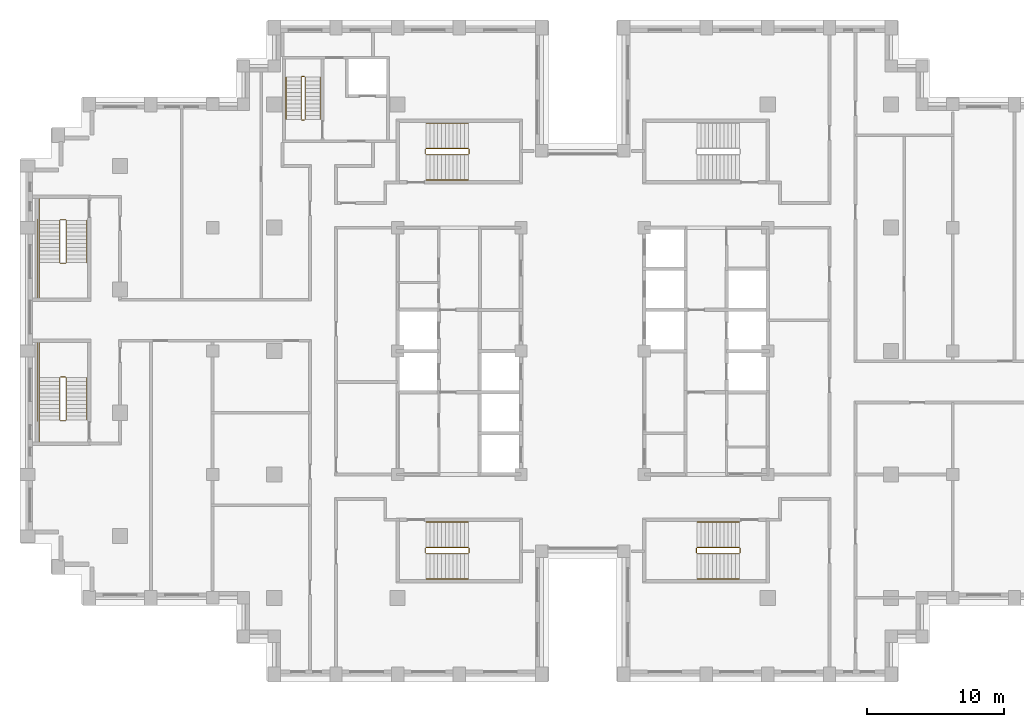
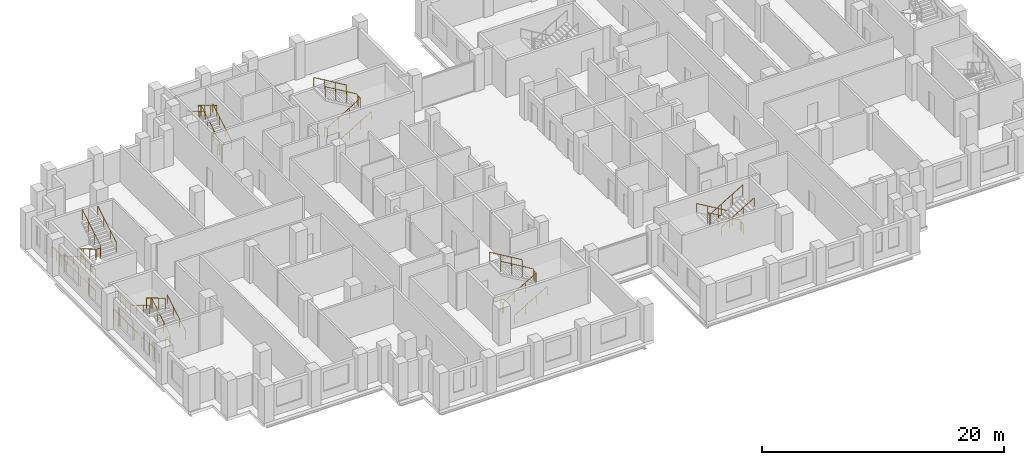
# One storey, part 15 of 16: 6 railings.
"""IFC4 building model written with IfcOpenShell, lengths in metres."""

from ifc_helpers import new_model, si_unit, direction, frame, origin, origin_2d, place, context, subcontext, project, spatial, circle, extrude, material, type_object, element, save


model = new_model("IFC4")

# Units and contexts
model_context = context("Model", 3, precision=1e-05, world=origin(), true_north=direction((0.0, 1.0)))
body_context = subcontext(model_context, "Body", "Model", "MODEL_VIEW")
ifc_project = project(units=[si_unit("LENGTHUNIT", "METRE"), si_unit("AREAUNIT", "SQUARE_METRE"), si_unit("VOLUMEUNIT", "CUBIC_METRE"), si_unit("PLANEANGLEUNIT", "RADIAN"), si_unit("MASSUNIT", "GRAM", prefix="KILO")], contexts=[model_context])

# Site, building, storey
site_placement = place(None, origin())
site = spatial("IfcSite", under=ifc_project, at=site_placement, CompositionType="ELEMENT")
building_placement = place(site_placement, origin())
building = spatial("IfcBuilding", under=site, at=building_placement, Name="Corbelhall Arena Tower", CompositionType="ELEMENT")
storey_placement = place(building_placement, frame((0.0, 0.0, 150.0)))
storey = spatial("IfcBuildingStorey", under=building, at=storey_placement, Name="L29", CompositionType="ELEMENT", Elevation=150.0)

# Railings
ifc_material = material(Name="Steel ASTM A500 Gr C", Category="steel")
railing_type = type_object("IfcRailingType", Name="IN-GD-1100", PredefinedType="GUARDRAIL", material=ifc_material)
railing_1_placement = place(storey_placement, frame((-11.425048828125, 14.324951171875, 0.166748046875)))
element("IfcRailing", 1, at=railing_1_placement, inside=storey, type_object=railing_type, Name="L29 ST1 stair guards and handrails", PredefinedType="GUARDRAIL", context=body_context, shape_type="SweptSolid", body=[
    extrude(circle(Radius=0.02392578125, at=origin_2d()), frame((0.0, 0.0, 1.076171875), z_axis=(0.859308565015, 0.0, 0.511457515432), x_axis=(0.0, 1.0, 0.0)), (0.0, 0.0, 1.0), 3.58447265625),
    extrude(circle(Radius=0.02392578125, at=origin_2d()), frame((3.130126953125, 0.050048828125, 2.9091796875), z_axis=(0.0, 1.0, 0.0), x_axis=(-1.0, 0.0, 0.0)), (0.0, 0.0, 1.0), 0.35009765625),
    extrude(circle(Radius=0.02392578125, at=origin_2d()), frame((3.080078125, 0.449951171875, 3.076171875), z_axis=(-0.859308565015, 0.0, 0.511457515432), x_axis=(0.0, -1.0, 0.0)), (0.0, 0.0, 1.0), 3.58447265625),
    extrude(circle(Radius=0.02392578125, at=origin_2d()), frame((-0.050048828125, 0.050048828125, 0.9091796875), z_axis=(0.0, 1.0, 0.0), x_axis=(-1.0, 0.0, 0.0)), (0.0, 0.0, 1.0), 0.35009765625),
    extrude(circle(Radius=0.02392578125, at=origin_2d()), frame((0.0, -1.849853515625, 0.8759765625), z_axis=(0.859308565015, 0.0, 0.511457515432), x_axis=(0.0, 1.0, 0.0)), (0.0, 0.0, 1.0), 3.58447265625),
    extrude(circle(Radius=0.02392578125, at=origin_2d()), frame((3.080078125, 2.300048828125, 2.8759765625), z_axis=(-0.859308565015, 0.0, 0.511457515432), x_axis=(0.0, -1.0, 0.0)), (0.0, 0.0, 1.0), 3.58447265625),
    extrude(circle(Radius=0.02099609375, at=origin_2d()), origin(), (0.0, 0.0, 1.0), 1.052001953125),
    extrude(circle(Radius=0.02099609375, at=origin_2d()), frame((1.026611328125, 0.0, 0.611083984375)), (0.0, 0.0, 1.0), 1.052001953125),
    extrude(circle(Radius=0.02099609375, at=origin_2d()), frame((2.053466796875, 0.0, 1.22216796875)), (0.0, 0.0, 1.0), 1.052001953125),
    extrude(circle(Radius=0.02099609375, at=origin_2d()), frame((3.080078125, 0.0, 1.833251953125)), (0.0, 0.0, 1.0), 1.052001953125),
    extrude(circle(Radius=0.02099609375, at=origin_2d()), frame((3.130126953125, 0.050048828125, 1.833251953125)), (0.0, 0.0, 1.0), 1.052001953125),
    extrude(circle(Radius=0.02099609375, at=origin_2d()), frame((3.130126953125, 0.400146484375, 1.833251953125)), (0.0, 0.0, 1.0), 1.052001953125),
    extrude(circle(Radius=0.02099609375, at=origin_2d()), frame((3.080078125, 0.449951171875, 2.0)), (0.0, 0.0, 1.0), 1.052001953125),
    extrude(circle(Radius=0.02099609375, at=origin_2d()), frame((2.053466796875, 0.449951171875, 2.611083984375)), (0.0, 0.0, 1.0), 1.052001953125),
    extrude(circle(Radius=0.02099609375, at=origin_2d()), frame((1.026611328125, 0.449951171875, 3.22216796875)), (0.0, 0.0, 1.0), 1.052001953125),
    extrude(circle(Radius=0.02099609375, at=origin_2d()), frame((0.0, 0.449951171875, 3.833251953125)), (0.0, 0.0, 1.0), 1.052001953125),
    extrude(circle(Radius=0.02099609375, at=origin_2d()), frame((-0.050048828125, 0.050048828125, -0.166748046875)), (0.0, 0.0, 1.0), 1.052001953125),
    extrude(circle(Radius=0.02099609375, at=origin_2d()), frame((-0.050048828125, 0.400146484375, -0.166748046875)), (0.0, 0.0, 1.0), 1.052001953125),
    extrude(circle(Radius=0.02099609375, at=origin_2d()), frame((0.0, -1.849853515625, 0.0)), (0.0, 0.0, 1.0), 0.851806640625),
    extrude(circle(Radius=0.02099609375, at=origin_2d()), frame((1.026611328125, -1.849853515625, 0.611083984375)), (0.0, 0.0, 1.0), 0.851806640625),
    extrude(circle(Radius=0.02099609375, at=origin_2d()), frame((2.053466796875, -1.849853515625, 1.22216796875)), (0.0, 0.0, 1.0), 0.851806640625),
    extrude(circle(Radius=0.02099609375, at=origin_2d()), frame((3.080078125, -1.849853515625, 1.833251953125)), (0.0, 0.0, 1.0), 0.851806640625),
    extrude(circle(Radius=0.02099609375, at=origin_2d()), frame((3.080078125, 2.300048828125, 2.0)), (0.0, 0.0, 1.0), 0.851806640625),
    extrude(circle(Radius=0.02099609375, at=origin_2d()), frame((2.053466796875, 2.300048828125, 2.611083984375)), (0.0, 0.0, 1.0), 0.851806640625),
    extrude(circle(Radius=0.02099609375, at=origin_2d()), frame((1.026611328125, 2.300048828125, 3.22216796875)), (0.0, 0.0, 1.0), 0.851806640625),
    extrude(circle(Radius=0.02099609375, at=origin_2d()), frame((0.0, 2.300048828125, 3.833251953125)), (0.0, 0.0, 1.0), 0.851806640625),
])
railing_2_placement = place(storey_placement, frame((-11.425048828125, -14.77490234375, 0.166748046875)))
element("IfcRailing", 2, at=railing_2_placement, inside=storey, type_object=railing_type, Name="L29 ST2 stair guards and handrails", PredefinedType="GUARDRAIL", context=body_context, shape_type="SweptSolid", body=[
    extrude(circle(Radius=0.02392578125, at=origin_2d()), frame((0.0, 0.0, 1.076171875), z_axis=(0.859308565015, 0.0, 0.511457515432), x_axis=(0.0, 1.0, 0.0)), (0.0, 0.0, 1.0), 3.58447265625),
    extrude(circle(Radius=0.02392578125, at=origin_2d()), frame((3.130126953125, 0.0498046875, 2.9091796875), z_axis=(0.0, 1.0, 0.0), x_axis=(-1.0, 0.0, 0.0)), (0.0, 0.0, 1.0), 0.35009765625),
    extrude(circle(Radius=0.02392578125, at=origin_2d()), frame((3.080078125, 0.449951171875, 3.076171875), z_axis=(-0.859308565015, 0.0, 0.511457515432), x_axis=(0.0, -1.0, 0.0)), (0.0, 0.0, 1.0), 3.58447265625),
    extrude(circle(Radius=0.02392578125, at=origin_2d()), frame((-0.050048828125, 0.0498046875, 0.9091796875), z_axis=(0.0, 1.0, 0.0), x_axis=(-1.0, 0.0, 0.0)), (0.0, 0.0, 1.0), 0.35009765625),
    extrude(circle(Radius=0.02392578125, at=origin_2d()), frame((0.0, -1.85009765625, 0.8759765625), z_axis=(0.859308565015, 0.0, 0.511457515432), x_axis=(0.0, 1.0, 0.0)), (0.0, 0.0, 1.0), 3.58447265625),
    extrude(circle(Radius=0.02392578125, at=origin_2d()), frame((3.080078125, 2.2998046875, 2.8759765625), z_axis=(-0.859308565015, 0.0, 0.511457515432), x_axis=(0.0, -1.0, 0.0)), (0.0, 0.0, 1.0), 3.58447265625),
    extrude(circle(Radius=0.02099609375, at=origin_2d()), origin(), (0.0, 0.0, 1.0), 1.052001953125),
    extrude(circle(Radius=0.02099609375, at=origin_2d()), frame((1.026611328125, 0.0, 0.611083984375)), (0.0, 0.0, 1.0), 1.052001953125),
    extrude(circle(Radius=0.02099609375, at=origin_2d()), frame((2.053466796875, 0.0, 1.22216796875)), (0.0, 0.0, 1.0), 1.052001953125),
    extrude(circle(Radius=0.02099609375, at=origin_2d()), frame((3.080078125, 0.0, 1.833251953125)), (0.0, 0.0, 1.0), 1.052001953125),
    extrude(circle(Radius=0.02099609375, at=origin_2d()), frame((3.130126953125, 0.0498046875, 1.833251953125)), (0.0, 0.0, 1.0), 1.052001953125),
    extrude(circle(Radius=0.02099609375, at=origin_2d()), frame((3.130126953125, 0.39990234375, 1.833251953125)), (0.0, 0.0, 1.0), 1.052001953125),
    extrude(circle(Radius=0.02099609375, at=origin_2d()), frame((3.080078125, 0.449951171875, 2.0)), (0.0, 0.0, 1.0), 1.052001953125),
    extrude(circle(Radius=0.02099609375, at=origin_2d()), frame((2.053466796875, 0.449951171875, 2.611083984375)), (0.0, 0.0, 1.0), 1.052001953125),
    extrude(circle(Radius=0.02099609375, at=origin_2d()), frame((1.026611328125, 0.449951171875, 3.22216796875)), (0.0, 0.0, 1.0), 1.052001953125),
    extrude(circle(Radius=0.02099609375, at=origin_2d()), frame((0.0, 0.449951171875, 3.833251953125)), (0.0, 0.0, 1.0), 1.052001953125),
    extrude(circle(Radius=0.02099609375, at=origin_2d()), frame((-0.050048828125, 0.0498046875, -0.166748046875)), (0.0, 0.0, 1.0), 1.052001953125),
    extrude(circle(Radius=0.02099609375, at=origin_2d()), frame((-0.050048828125, 0.39990234375, -0.166748046875)), (0.0, 0.0, 1.0), 1.052001953125),
    extrude(circle(Radius=0.02099609375, at=origin_2d()), frame((0.0, -1.85009765625, 0.0)), (0.0, 0.0, 1.0), 0.851806640625),
    extrude(circle(Radius=0.02099609375, at=origin_2d()), frame((1.026611328125, -1.85009765625, 0.611083984375)), (0.0, 0.0, 1.0), 0.851806640625),
    extrude(circle(Radius=0.02099609375, at=origin_2d()), frame((2.053466796875, -1.85009765625, 1.22216796875)), (0.0, 0.0, 1.0), 0.851806640625),
    extrude(circle(Radius=0.02099609375, at=origin_2d()), frame((3.080078125, -1.85009765625, 1.833251953125)), (0.0, 0.0, 1.0), 0.851806640625),
    extrude(circle(Radius=0.02099609375, at=origin_2d()), frame((3.080078125, 2.2998046875, 2.0)), (0.0, 0.0, 1.0), 0.851806640625),
    extrude(circle(Radius=0.02099609375, at=origin_2d()), frame((2.053466796875, 2.2998046875, 2.611083984375)), (0.0, 0.0, 1.0), 0.851806640625),
    extrude(circle(Radius=0.02099609375, at=origin_2d()), frame((1.026611328125, 2.2998046875, 3.22216796875)), (0.0, 0.0, 1.0), 0.851806640625),
    extrude(circle(Radius=0.02099609375, at=origin_2d()), frame((0.0, 2.2998046875, 3.833251953125)), (0.0, 0.0, 1.0), 0.851806640625),
])
railing_3_placement = place(storey_placement, frame((11.425048828125, -14.324951171875, 0.166748046875)))
element("IfcRailing", 3, at=railing_3_placement, inside=storey, type_object=railing_type, Name="L29 ST4 stair guards and handrails", PredefinedType="GUARDRAIL", context=body_context, shape_type="SweptSolid", body=[
    extrude(circle(Radius=0.02392578125, at=origin_2d()), frame((0.0, 0.0, 1.076171875), z_axis=(-0.859308565015, 0.0, 0.511457515432), x_axis=(0.0, -1.0, 0.0)), (0.0, 0.0, 1.0), 3.58447265625),
    extrude(circle(Radius=0.02392578125, at=origin_2d()), frame((-3.130126953125, -0.050048828125, 2.9091796875), z_axis=(0.0, -1.0, 0.0), x_axis=(1.0, 0.0, 0.0)), (0.0, 0.0, 1.0), 0.35009765625),
    extrude(circle(Radius=0.02392578125, at=origin_2d()), frame((-3.080078125, -0.449951171875, 3.076171875), z_axis=(0.859308565015, 0.0, 0.511457515432), x_axis=(0.0, 1.0, 0.0)), (0.0, 0.0, 1.0), 3.58447265625),
    extrude(circle(Radius=0.02392578125, at=origin_2d()), frame((0.050048828125, -0.050048828125, 0.9091796875), z_axis=(0.0, -1.0, 0.0), x_axis=(1.0, 0.0, 0.0)), (0.0, 0.0, 1.0), 0.35009765625),
    extrude(circle(Radius=0.02392578125, at=origin_2d()), frame((0.0, 1.849853515625, 0.8759765625), z_axis=(-0.859308565015, 0.0, 0.511457515432), x_axis=(0.0, -1.0, 0.0)), (0.0, 0.0, 1.0), 3.58447265625),
    extrude(circle(Radius=0.02392578125, at=origin_2d()), frame((-3.080078125, -2.300048828125, 2.8759765625), z_axis=(0.859308565015, 0.0, 0.511457515432), x_axis=(0.0, 1.0, 0.0)), (0.0, 0.0, 1.0), 3.58447265625),
    extrude(circle(Radius=0.02099609375, at=origin_2d()), origin(), (0.0, 0.0, 1.0), 1.052001953125),
    extrude(circle(Radius=0.02099609375, at=origin_2d()), frame((-1.026611328125, 0.0, 0.611083984375)), (0.0, 0.0, 1.0), 1.052001953125),
    extrude(circle(Radius=0.02099609375, at=origin_2d()), frame((-2.053466796875, 0.0, 1.22216796875)), (0.0, 0.0, 1.0), 1.052001953125),
    extrude(circle(Radius=0.02099609375, at=origin_2d()), frame((-3.080078125, 0.0, 1.833251953125)), (0.0, 0.0, 1.0), 1.052001953125),
    extrude(circle(Radius=0.02099609375, at=origin_2d()), frame((-3.130126953125, -0.050048828125, 1.833251953125)), (0.0, 0.0, 1.0), 1.052001953125),
    extrude(circle(Radius=0.02099609375, at=origin_2d()), frame((-3.130126953125, -0.400146484375, 1.833251953125)), (0.0, 0.0, 1.0), 1.052001953125),
    extrude(circle(Radius=0.02099609375, at=origin_2d()), frame((-3.080078125, -0.449951171875, 2.0)), (0.0, 0.0, 1.0), 1.052001953125),
    extrude(circle(Radius=0.02099609375, at=origin_2d()), frame((-2.053466796875, -0.449951171875, 2.611083984375)), (0.0, 0.0, 1.0), 1.052001953125),
    extrude(circle(Radius=0.02099609375, at=origin_2d()), frame((-1.026611328125, -0.449951171875, 3.22216796875)), (0.0, 0.0, 1.0), 1.052001953125),
    extrude(circle(Radius=0.02099609375, at=origin_2d()), frame((0.0, -0.449951171875, 3.833251953125)), (0.0, 0.0, 1.0), 1.052001953125),
    extrude(circle(Radius=0.02099609375, at=origin_2d()), frame((0.050048828125, -0.050048828125, -0.166748046875)), (0.0, 0.0, 1.0), 1.052001953125),
    extrude(circle(Radius=0.02099609375, at=origin_2d()), frame((0.050048828125, -0.400146484375, -0.166748046875)), (0.0, 0.0, 1.0), 1.052001953125),
    extrude(circle(Radius=0.02099609375, at=origin_2d()), frame((0.0, 1.849853515625, 0.0)), (0.0, 0.0, 1.0), 0.851806640625),
    extrude(circle(Radius=0.02099609375, at=origin_2d()), frame((-1.026611328125, 1.849853515625, 0.611083984375)), (0.0, 0.0, 1.0), 0.851806640625),
    extrude(circle(Radius=0.02099609375, at=origin_2d()), frame((-2.053466796875, 1.849853515625, 1.22216796875)), (0.0, 0.0, 1.0), 0.851806640625),
    extrude(circle(Radius=0.02099609375, at=origin_2d()), frame((-3.080078125, 1.849853515625, 1.833251953125)), (0.0, 0.0, 1.0), 0.851806640625),
    extrude(circle(Radius=0.02099609375, at=origin_2d()), frame((-3.080078125, -2.300048828125, 2.0)), (0.0, 0.0, 1.0), 0.851806640625),
    extrude(circle(Radius=0.02099609375, at=origin_2d()), frame((-2.053466796875, -2.300048828125, 2.611083984375)), (0.0, 0.0, 1.0), 0.851806640625),
    extrude(circle(Radius=0.02099609375, at=origin_2d()), frame((-1.026611328125, -2.300048828125, 3.22216796875)), (0.0, 0.0, 1.0), 0.851806640625),
    extrude(circle(Radius=0.02099609375, at=origin_2d()), frame((0.0, -2.300048828125, 3.833251953125)), (0.0, 0.0, 1.0), 0.851806640625),
])
railing_4_placement = place(storey_placement, frame((-38.14990234375, 9.52490234375, 0.166748046875)))
element("IfcRailing", 4, at=railing_4_placement, inside=storey, type_object=railing_type, Name="L29 SC1 stair guards and handrails", PredefinedType="GUARDRAIL", context=body_context, shape_type="SweptSolid", body=[
    extrude(circle(Radius=0.02392578125, at=origin_2d()), frame((0.0, 0.0, 1.076171875), z_axis=(0.0, -0.859290745958, 0.51148745235), x_axis=(1.0, 0.0, 0.0)), (0.0, 0.0, 1.0), 3.584228515625),
    extrude(circle(Radius=0.02392578125, at=origin_2d()), frame((0.0498046875, -3.1298828125, 2.9091796875), z_axis=(1.0, 0.0, 0.0), x_axis=(0.0, 1.0, 0.0)), (0.0, 0.0, 1.0), 0.375),
    extrude(circle(Radius=0.02392578125, at=origin_2d()), frame((-1.5, -3.079833984375, 2.9091796875), z_axis=(0.0, -1.0, 0.0), x_axis=(1.0, 0.0, 0.0)), (0.0, 0.0, 1.0), 2.570068359375),
    extrude(circle(Radius=0.02392578125, at=origin_2d()), frame((0.474853515625, -3.079833984375, 3.076171875), z_axis=(0.0, 0.859290745958, 0.51148745235), x_axis=(-1.0, 0.0, 0.0)), (0.0, 0.0, 1.0), 3.584228515625),
    extrude(circle(Radius=0.02392578125, at=origin_2d()), frame((0.0498046875, 0.050048828125, 0.9091796875), z_axis=(1.0, 0.0, 0.0), x_axis=(0.0, 1.0, 0.0)), (0.0, 0.0, 1.0), 0.375),
    extrude(circle(Radius=0.02392578125, at=origin_2d()), frame((-1.5, 1.60009765625, 0.9091796875), z_axis=(0.0, -1.0, 0.0), x_axis=(1.0, 0.0, 0.0)), (0.0, 0.0, 1.0), 1.60009765625),
    extrude(circle(Radius=0.02392578125, at=origin_2d()), frame((-1.60009765625, 0.10009765625, 0.9091796875), z_axis=(0.0, -1.0, 0.0), x_axis=(1.0, 0.0, 0.0)), (0.0, 0.0, 1.0), 5.85009765625),
    extrude(circle(Radius=0.02392578125, at=origin_2d()), frame((-1.5, 0.0, 0.8759765625), z_axis=(0.0, -0.859290745958, 0.51148745235), x_axis=(1.0, 0.0, 0.0)), (0.0, 0.0, 1.0), 3.584228515625),
    extrude(circle(Radius=0.02392578125, at=origin_2d()), frame((1.974853515625, -3.079833984375, 2.8759765625), z_axis=(0.0, 0.859290745958, 0.51148745235), x_axis=(-1.0, 0.0, 0.0)), (0.0, 0.0, 1.0), 3.584228515625),
    extrude(circle(Radius=0.02099609375, at=origin_2d()), origin(), (0.0, 0.0, 1.0), 1.052001953125),
    extrude(circle(Radius=0.02099609375, at=origin_2d()), frame((0.0, -1.026611328125, 0.611083984375)), (0.0, 0.0, 1.0), 1.052001953125),
    extrude(circle(Radius=0.02099609375, at=origin_2d()), frame((0.0, -2.05322265625, 1.22216796875)), (0.0, 0.0, 1.0), 1.052001953125),
    extrude(circle(Radius=0.02099609375, at=origin_2d()), frame((0.0, -3.079833984375, 1.833251953125)), (0.0, 0.0, 1.0), 1.052001953125),
    extrude(circle(Radius=0.02099609375, at=origin_2d()), frame((0.0498046875, -3.1298828125, 1.833251953125)), (0.0, 0.0, 1.0), 1.052001953125),
    extrude(circle(Radius=0.02099609375, at=origin_2d()), frame((0.4248046875, -3.1298828125, 1.833251953125)), (0.0, 0.0, 1.0), 1.052001953125),
    extrude(circle(Radius=0.02099609375, at=origin_2d()), frame((-1.5, -3.079833984375, 1.833251953125)), (0.0, 0.0, 1.0), 1.052001953125),
    extrude(circle(Radius=0.02099609375, at=origin_2d()), frame((-1.5, -3.9365234375, 1.833251953125)), (0.0, 0.0, 1.0), 1.052001953125),
    extrude(circle(Radius=0.02099609375, at=origin_2d()), frame((-1.5, -4.793212890625, 1.833251953125)), (0.0, 0.0, 1.0), 1.052001953125),
    extrude(circle(Radius=0.02099609375, at=origin_2d()), frame((-1.5, -5.64990234375, 1.833251953125)), (0.0, 0.0, 1.0), 1.052001953125),
    extrude(circle(Radius=0.02099609375, at=origin_2d()), frame((0.474853515625, -3.079833984375, 2.0)), (0.0, 0.0, 1.0), 1.052001953125),
    extrude(circle(Radius=0.02099609375, at=origin_2d()), frame((0.474853515625, -2.05322265625, 2.611083984375)), (0.0, 0.0, 1.0), 1.052001953125),
    extrude(circle(Radius=0.02099609375, at=origin_2d()), frame((0.474853515625, -1.026611328125, 3.22216796875)), (0.0, 0.0, 1.0), 1.052001953125),
    extrude(circle(Radius=0.02099609375, at=origin_2d()), frame((0.474853515625, 0.0, 3.833251953125)), (0.0, 0.0, 1.0), 1.052001953125),
    extrude(circle(Radius=0.02099609375, at=origin_2d()), frame((0.0498046875, 0.050048828125, -0.166748046875)), (0.0, 0.0, 1.0), 1.052001953125),
    extrude(circle(Radius=0.02099609375, at=origin_2d()), frame((0.4248046875, 0.050048828125, -0.166748046875)), (0.0, 0.0, 1.0), 1.052001953125),
    extrude(circle(Radius=0.02099609375, at=origin_2d()), frame((-1.5, 1.60009765625, -0.166748046875)), (0.0, 0.0, 1.0), 1.052001953125),
    extrude(circle(Radius=0.02099609375, at=origin_2d()), frame((-1.5, 0.800048828125, -0.166748046875)), (0.0, 0.0, 1.0), 1.052001953125),
    extrude(circle(Radius=0.02099609375, at=origin_2d()), frame((-1.5, 0.0, -0.166748046875)), (0.0, 0.0, 1.0), 1.052001953125),
    extrude(circle(Radius=0.02099609375, at=origin_2d()), frame((-1.60009765625, 0.10009765625, -0.166748046875)), (0.0, 0.0, 1.0), 1.052001953125),
    extrude(circle(Radius=0.02099609375, at=origin_2d()), frame((-1.60009765625, -1.06982421875, -0.166748046875)), (0.0, 0.0, 1.0), 1.052001953125),
    extrude(circle(Radius=0.02099609375, at=origin_2d()), frame((-1.60009765625, -2.239990234375, -0.166748046875)), (0.0, 0.0, 1.0), 1.052001953125),
    extrude(circle(Radius=0.02099609375, at=origin_2d()), frame((-1.60009765625, -3.409912109375, -0.166748046875)), (0.0, 0.0, 1.0), 1.052001953125),
    extrude(circle(Radius=0.02099609375, at=origin_2d()), frame((-1.60009765625, -4.580078125, -0.166748046875)), (0.0, 0.0, 1.0), 1.052001953125),
    extrude(circle(Radius=0.02099609375, at=origin_2d()), frame((-1.60009765625, -5.75, -0.166748046875)), (0.0, 0.0, 1.0), 1.052001953125),
    extrude(circle(Radius=0.02099609375, at=origin_2d()), frame((-1.5, 0.0, 0.0)), (0.0, 0.0, 1.0), 0.851806640625),
    extrude(circle(Radius=0.02099609375, at=origin_2d()), frame((-1.5, -1.026611328125, 0.611083984375)), (0.0, 0.0, 1.0), 0.851806640625),
    extrude(circle(Radius=0.02099609375, at=origin_2d()), frame((-1.5, -2.05322265625, 1.22216796875)), (0.0, 0.0, 1.0), 0.851806640625),
    extrude(circle(Radius=0.02099609375, at=origin_2d()), frame((1.974853515625, -3.079833984375, 2.0)), (0.0, 0.0, 1.0), 0.851806640625),
    extrude(circle(Radius=0.02099609375, at=origin_2d()), frame((1.974853515625, -2.05322265625, 2.611083984375)), (0.0, 0.0, 1.0), 0.851806640625),
    extrude(circle(Radius=0.02099609375, at=origin_2d()), frame((1.974853515625, -1.026611328125, 3.22216796875)), (0.0, 0.0, 1.0), 0.851806640625),
    extrude(circle(Radius=0.02099609375, at=origin_2d()), frame((1.974853515625, 0.0, 3.833251953125)), (0.0, 0.0, 1.0), 0.851806640625),
])
railing_5_placement = place(storey_placement, frame((-37.675048828125, -5.02490234375, 0.166748046875)))
element("IfcRailing", 5, at=railing_5_placement, inside=storey, type_object=railing_type, Name="L29 SC2 stair guards and handrails", PredefinedType="GUARDRAIL", context=body_context, shape_type="SweptSolid", body=[
    extrude(circle(Radius=0.02392578125, at=origin_2d()), frame((0.0, 0.0, 1.076171875), z_axis=(0.0, 0.859290745958, 0.51148745235), x_axis=(-1.0, 0.0, 0.0)), (0.0, 0.0, 1.0), 3.584228515625),
    extrude(circle(Radius=0.02392578125, at=origin_2d()), frame((-0.050048828125, 3.1298828125, 2.9091796875), z_axis=(-1.0, 0.0, 0.0), x_axis=(0.0, -1.0, 0.0)), (0.0, 0.0, 1.0), 0.375),
    extrude(circle(Radius=0.02392578125, at=origin_2d()), frame((-1.974853515625, 3.079833984375, 2.9091796875), z_axis=(0.0, 1.0, 0.0), x_axis=(-1.0, 0.0, 0.0)), (0.0, 0.0, 1.0), 2.570068359375),
    extrude(circle(Radius=0.02392578125, at=origin_2d()), frame((-0.474853515625, 3.079833984375, 3.076171875), z_axis=(0.0, -0.859290745958, 0.51148745235), x_axis=(1.0, 0.0, 0.0)), (0.0, 0.0, 1.0), 3.584228515625),
    extrude(circle(Radius=0.02392578125, at=origin_2d()), frame((-0.050048828125, -0.050048828125, 0.9091796875), z_axis=(-1.0, 0.0, 0.0), x_axis=(0.0, -1.0, 0.0)), (0.0, 0.0, 1.0), 0.375),
    extrude(circle(Radius=0.02392578125, at=origin_2d()), frame((-1.974853515625, -1.60009765625, 0.9091796875), z_axis=(0.0, 1.0, 0.0), x_axis=(-1.0, 0.0, 0.0)), (0.0, 0.0, 1.0), 1.60009765625),
    extrude(circle(Radius=0.02392578125, at=origin_2d()), frame((-2.074951171875, -0.10009765625, 0.9091796875), z_axis=(0.0, 1.0, 0.0), x_axis=(-1.0, 0.0, 0.0)), (0.0, 0.0, 1.0), 5.85009765625),
    extrude(circle(Radius=0.02392578125, at=origin_2d()), frame((1.5, 0.0, 0.8759765625), z_axis=(0.0, 0.859290745958, 0.51148745235), x_axis=(-1.0, 0.0, 0.0)), (0.0, 0.0, 1.0), 3.584228515625),
    extrude(circle(Radius=0.02392578125, at=origin_2d()), frame((-1.974853515625, 3.079833984375, 2.8759765625), z_axis=(0.0, -0.859290745958, 0.51148745235), x_axis=(1.0, 0.0, 0.0)), (0.0, 0.0, 1.0), 3.584228515625),
    extrude(circle(Radius=0.02099609375, at=origin_2d()), origin(), (0.0, 0.0, 1.0), 1.052001953125),
    extrude(circle(Radius=0.02099609375, at=origin_2d()), frame((0.0, 1.026611328125, 0.611083984375)), (0.0, 0.0, 1.0), 1.052001953125),
    extrude(circle(Radius=0.02099609375, at=origin_2d()), frame((0.0, 2.05322265625, 1.22216796875)), (0.0, 0.0, 1.0), 1.052001953125),
    extrude(circle(Radius=0.02099609375, at=origin_2d()), frame((0.0, 3.079833984375, 1.833251953125)), (0.0, 0.0, 1.0), 1.052001953125),
    extrude(circle(Radius=0.02099609375, at=origin_2d()), frame((-0.050048828125, 3.1298828125, 1.833251953125)), (0.0, 0.0, 1.0), 1.052001953125),
    extrude(circle(Radius=0.02099609375, at=origin_2d()), frame((-0.425048828125, 3.1298828125, 1.833251953125)), (0.0, 0.0, 1.0), 1.052001953125),
    extrude(circle(Radius=0.02099609375, at=origin_2d()), frame((-1.974853515625, 3.079833984375, 1.833251953125)), (0.0, 0.0, 1.0), 1.052001953125),
    extrude(circle(Radius=0.02099609375, at=origin_2d()), frame((-1.974853515625, 3.9365234375, 1.833251953125)), (0.0, 0.0, 1.0), 1.052001953125),
    extrude(circle(Radius=0.02099609375, at=origin_2d()), frame((-1.974853515625, 4.793212890625, 1.833251953125)), (0.0, 0.0, 1.0), 1.052001953125),
    extrude(circle(Radius=0.02099609375, at=origin_2d()), frame((-1.974853515625, 5.64990234375, 1.833251953125)), (0.0, 0.0, 1.0), 1.052001953125),
    extrude(circle(Radius=0.02099609375, at=origin_2d()), frame((-0.474853515625, 3.079833984375, 2.0)), (0.0, 0.0, 1.0), 1.052001953125),
    extrude(circle(Radius=0.02099609375, at=origin_2d()), frame((-0.474853515625, 2.05322265625, 2.611083984375)), (0.0, 0.0, 1.0), 1.052001953125),
    extrude(circle(Radius=0.02099609375, at=origin_2d()), frame((-0.474853515625, 1.026611328125, 3.22216796875)), (0.0, 0.0, 1.0), 1.052001953125),
    extrude(circle(Radius=0.02099609375, at=origin_2d()), frame((-0.474853515625, 0.0, 3.833251953125)), (0.0, 0.0, 1.0), 1.052001953125),
    extrude(circle(Radius=0.02099609375, at=origin_2d()), frame((-0.050048828125, -0.050048828125, -0.166748046875)), (0.0, 0.0, 1.0), 1.052001953125),
    extrude(circle(Radius=0.02099609375, at=origin_2d()), frame((-0.425048828125, -0.050048828125, -0.166748046875)), (0.0, 0.0, 1.0), 1.052001953125),
    extrude(circle(Radius=0.02099609375, at=origin_2d()), frame((-1.974853515625, -1.60009765625, -0.166748046875)), (0.0, 0.0, 1.0), 1.052001953125),
    extrude(circle(Radius=0.02099609375, at=origin_2d()), frame((-1.974853515625, -0.800048828125, -0.166748046875)), (0.0, 0.0, 1.0), 1.052001953125),
    extrude(circle(Radius=0.02099609375, at=origin_2d()), frame((-1.974853515625, 0.0, -0.166748046875)), (0.0, 0.0, 1.0), 1.052001953125),
    extrude(circle(Radius=0.02099609375, at=origin_2d()), frame((-2.074951171875, -0.10009765625, -0.166748046875)), (0.0, 0.0, 1.0), 1.052001953125),
    extrude(circle(Radius=0.02099609375, at=origin_2d()), frame((-2.074951171875, 1.06982421875, -0.166748046875)), (0.0, 0.0, 1.0), 1.052001953125),
    extrude(circle(Radius=0.02099609375, at=origin_2d()), frame((-2.074951171875, 2.239990234375, -0.166748046875)), (0.0, 0.0, 1.0), 1.052001953125),
    extrude(circle(Radius=0.02099609375, at=origin_2d()), frame((-2.074951171875, 3.409912109375, -0.166748046875)), (0.0, 0.0, 1.0), 1.052001953125),
    extrude(circle(Radius=0.02099609375, at=origin_2d()), frame((-2.074951171875, 4.580078125, -0.166748046875)), (0.0, 0.0, 1.0), 1.052001953125),
    extrude(circle(Radius=0.02099609375, at=origin_2d()), frame((-2.074951171875, 5.75, -0.166748046875)), (0.0, 0.0, 1.0), 1.052001953125),
    extrude(circle(Radius=0.02099609375, at=origin_2d()), frame((1.5, 0.0, 0.0)), (0.0, 0.0, 1.0), 0.851806640625),
    extrude(circle(Radius=0.02099609375, at=origin_2d()), frame((1.5, 1.026611328125, 0.611083984375)), (0.0, 0.0, 1.0), 0.851806640625),
    extrude(circle(Radius=0.02099609375, at=origin_2d()), frame((1.5, 2.05322265625, 1.22216796875)), (0.0, 0.0, 1.0), 0.851806640625),
    extrude(circle(Radius=0.02099609375, at=origin_2d()), frame((1.5, 3.079833984375, 1.833251953125)), (0.0, 0.0, 1.0), 0.851806640625),
    extrude(circle(Radius=0.02099609375, at=origin_2d()), frame((-1.974853515625, 3.079833984375, 2.0)), (0.0, 0.0, 1.0), 0.851806640625),
    extrude(circle(Radius=0.02099609375, at=origin_2d()), frame((-1.974853515625, 2.05322265625, 2.611083984375)), (0.0, 0.0, 1.0), 0.851806640625),
    extrude(circle(Radius=0.02099609375, at=origin_2d()), frame((-1.974853515625, 1.026611328125, 3.22216796875)), (0.0, 0.0, 1.0), 0.851806640625),
    extrude(circle(Radius=0.02099609375, at=origin_2d()), frame((-1.974853515625, 0.0, 3.833251953125)), (0.0, 0.0, 1.0), 0.851806640625),
])
railing_6_placement = place(storey_placement, frame((-20.2451171875, 16.89990234375, 0.166748046875)))
element("IfcRailing", 6, at=railing_6_placement, inside=storey, type_object=railing_type, Name="L29 ST5 stair guards and handrails", PredefinedType="GUARDRAIL", context=body_context, shape_type="SweptSolid", body=[
    extrude(circle(Radius=0.02392578125, at=origin_2d()), frame((0.0, 0.0, 1.076171875), z_axis=(0.0, 0.859308565015, 0.511457515432), x_axis=(-1.0, 0.0, 0.0)), (0.0, 0.0, 1.0), 3.58447265625),
    extrude(circle(Radius=0.02392578125, at=origin_2d()), frame((-0.0498046875, 3.130126953125, 2.9091796875), z_axis=(-1.0, 0.0, 0.0), x_axis=(0.0, -1.0, 0.0)), (0.0, 0.0, 1.0), 0.2001953125),
    extrude(circle(Radius=0.02392578125, at=origin_2d()), frame((-0.2998046875, 3.080078125, 3.076171875), z_axis=(0.0, -0.859308565015, 0.511457515432), x_axis=(1.0, 0.0, 0.0)), (0.0, 0.0, 1.0), 3.58447265625),
    extrude(circle(Radius=0.02392578125, at=origin_2d()), frame((-0.0498046875, -0.0498046875, 0.9091796875), z_axis=(-1.0, 0.0, 0.0), x_axis=(0.0, -1.0, 0.0)), (0.0, 0.0, 1.0), 0.2001953125),
    extrude(circle(Radius=0.02392578125, at=origin_2d()), frame((1.10009765625, 0.0, 0.8759765625), z_axis=(0.0, 0.859308565015, 0.511457515432), x_axis=(-1.0, 0.0, 0.0)), (0.0, 0.0, 1.0), 3.58447265625),
    extrude(circle(Radius=0.02392578125, at=origin_2d()), frame((-1.39990234375, 3.080078125, 2.8759765625), z_axis=(0.0, -0.859308565015, 0.511457515432), x_axis=(1.0, 0.0, 0.0)), (0.0, 0.0, 1.0), 3.58447265625),
    extrude(circle(Radius=0.02099609375, at=origin_2d()), origin(), (0.0, 0.0, 1.0), 1.052001953125),
    extrude(circle(Radius=0.02099609375, at=origin_2d()), frame((0.0, 1.026611328125, 0.611083984375)), (0.0, 0.0, 1.0), 1.052001953125),
    extrude(circle(Radius=0.02099609375, at=origin_2d()), frame((0.0, 2.053466796875, 1.22216796875)), (0.0, 0.0, 1.0), 1.052001953125),
    extrude(circle(Radius=0.02099609375, at=origin_2d()), frame((0.0, 3.080078125, 1.833251953125)), (0.0, 0.0, 1.0), 1.052001953125),
    extrude(circle(Radius=0.02099609375, at=origin_2d()), frame((-0.0498046875, 3.130126953125, 1.833251953125)), (0.0, 0.0, 1.0), 1.052001953125),
    extrude(circle(Radius=0.02099609375, at=origin_2d()), frame((-0.25, 3.130126953125, 1.833251953125)), (0.0, 0.0, 1.0), 1.052001953125),
    extrude(circle(Radius=0.02099609375, at=origin_2d()), frame((-0.2998046875, 3.080078125, 2.0)), (0.0, 0.0, 1.0), 1.052001953125),
    extrude(circle(Radius=0.02099609375, at=origin_2d()), frame((-0.2998046875, 2.053466796875, 2.611083984375)), (0.0, 0.0, 1.0), 1.052001953125),
    extrude(circle(Radius=0.02099609375, at=origin_2d()), frame((-0.2998046875, 1.026611328125, 3.22216796875)), (0.0, 0.0, 1.0), 1.052001953125),
    extrude(circle(Radius=0.02099609375, at=origin_2d()), frame((-0.2998046875, 0.0, 3.833251953125)), (0.0, 0.0, 1.0), 1.052001953125),
    extrude(circle(Radius=0.02099609375, at=origin_2d()), frame((-0.0498046875, -0.0498046875, -0.166748046875)), (0.0, 0.0, 1.0), 1.052001953125),
    extrude(circle(Radius=0.02099609375, at=origin_2d()), frame((-0.25, -0.0498046875, -0.166748046875)), (0.0, 0.0, 1.0), 1.052001953125),
    extrude(circle(Radius=0.02099609375, at=origin_2d()), frame((1.10009765625, 0.0, 0.0)), (0.0, 0.0, 1.0), 0.851806640625),
    extrude(circle(Radius=0.02099609375, at=origin_2d()), frame((1.10009765625, 1.026611328125, 0.611083984375)), (0.0, 0.0, 1.0), 0.851806640625),
    extrude(circle(Radius=0.02099609375, at=origin_2d()), frame((1.10009765625, 2.053466796875, 1.22216796875)), (0.0, 0.0, 1.0), 0.851806640625),
    extrude(circle(Radius=0.02099609375, at=origin_2d()), frame((1.10009765625, 3.080078125, 1.833251953125)), (0.0, 0.0, 1.0), 0.851806640625),
    extrude(circle(Radius=0.02099609375, at=origin_2d()), frame((-1.39990234375, 3.080078125, 2.0)), (0.0, 0.0, 1.0), 0.851806640625),
    extrude(circle(Radius=0.02099609375, at=origin_2d()), frame((-1.39990234375, 2.053466796875, 2.611083984375)), (0.0, 0.0, 1.0), 0.851806640625),
    extrude(circle(Radius=0.02099609375, at=origin_2d()), frame((-1.39990234375, 1.026611328125, 3.22216796875)), (0.0, 0.0, 1.0), 0.851806640625),
    extrude(circle(Radius=0.02099609375, at=origin_2d()), frame((-1.39990234375, 0.0, 3.833251953125)), (0.0, 0.0, 1.0), 0.851806640625),
])

save(model, "model.ifc")
